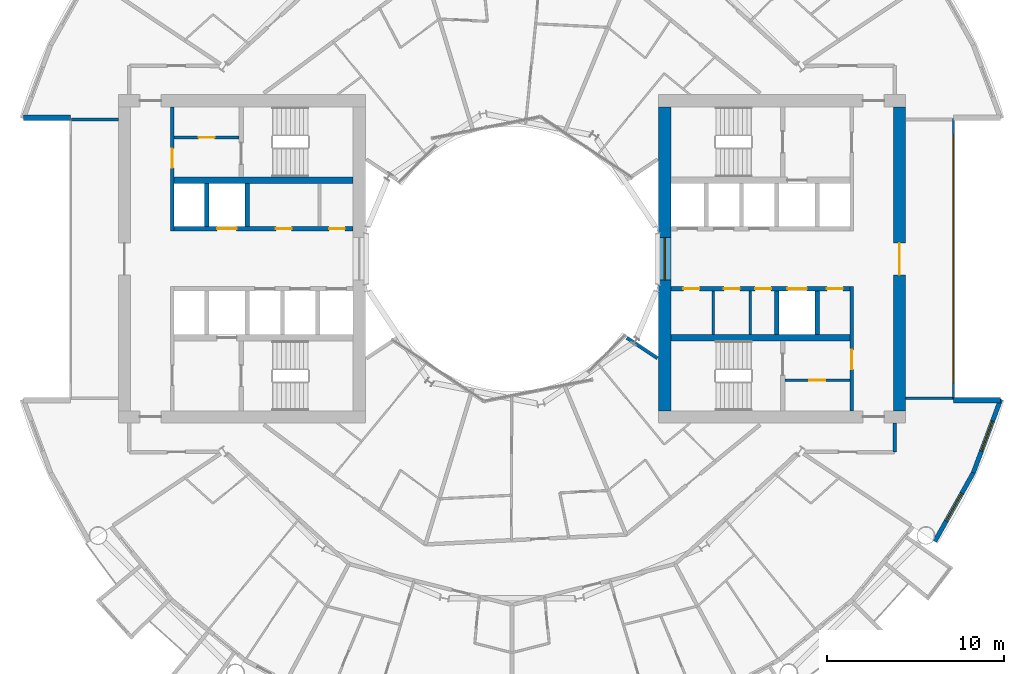
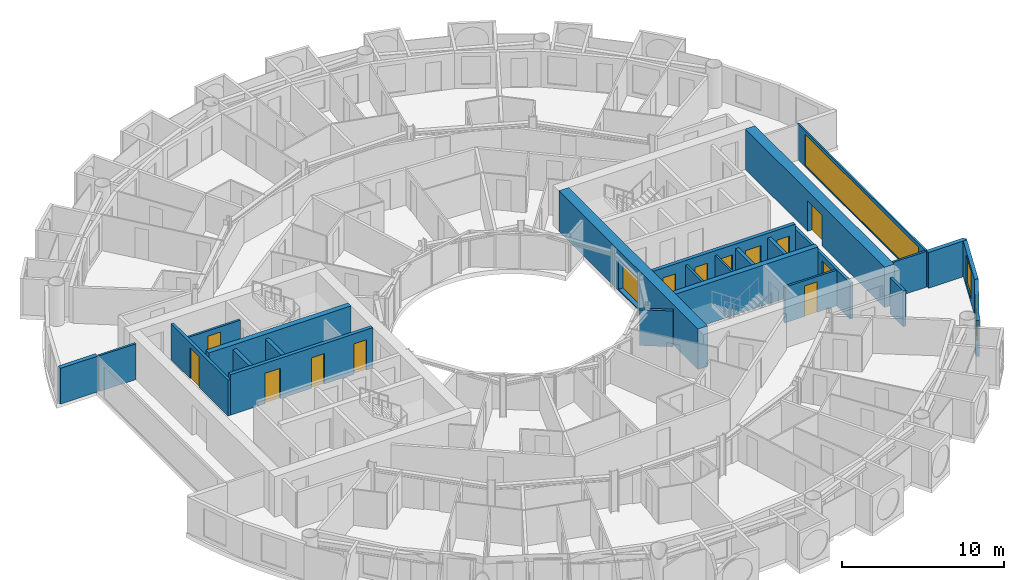
# One storey, part 17 of 26: 25 walls, 13 doors, 4 windows, 17 openings.
"""IFC4 building model written with IfcOpenShell, lengths in metres."""

from ifc_helpers import new_model, si_unit, direction, frame, frame_2d, origin, place, context, subcontext, project, spatial, rectangle, extrude, material, layer, layer_set, type_object, element, fill, save


model = new_model("IFC4")

# Units and contexts
model_context = context("Model", 3, precision=1e-05, world=origin(), true_north=direction((0.0, 1.0)))
body_context = subcontext(model_context, "Body", "Model", "MODEL_VIEW")
ifc_project = project(units=[si_unit("LENGTHUNIT", "METRE"), si_unit("AREAUNIT", "SQUARE_METRE"), si_unit("VOLUMEUNIT", "CUBIC_METRE"), si_unit("PLANEANGLEUNIT", "RADIAN"), si_unit("MASSUNIT", "GRAM", prefix="KILO")], contexts=[model_context])

# Site, building, storey
site_placement = place(None, origin())
site = spatial("IfcSite", under=ifc_project, at=site_placement, CompositionType="ELEMENT")
building_placement = place(site_placement, origin())
building = spatial("IfcBuilding", under=site, at=building_placement, Name="Maasbend Ring Residences", CompositionType="ELEMENT")
storey_placement = place(building_placement, frame((0.0, 0.0, 81.89990234375)))
storey = spatial("IfcBuildingStorey", under=building, at=storey_placement, Name="L23", CompositionType="ELEMENT", Elevation=81.89990234375)

# Wall, openings, doors
ifc_material_1 = material(Name="Concrete C70/85", Category="concrete")
ifc_layer_1 = layer(ifc_material_1, 0.25)
ifc_layer_set_1 = layer_set([ifc_layer_1], Name="Concrete C70/85")
wall_type_1 = type_object("IfcWallType", Name="CORE WALL 250 C70/85", PredefinedType="SHEAR", material=ifc_layer_set_1)
wall_1_placement = place(storey_placement, frame((19.14990234375, -1.699951171875, 0.0), z_axis=(0.0, 0.0, 1.0), x_axis=(-1.0, 0.0, 0.0)))
wall_1 = element("IfcWall", 1, at=wall_1_placement, inside=storey, type_object=wall_type_1, Name="L23 core E wall SPS", PredefinedType="SHEAR", context=body_context, shape_type="SweptSolid", body=[
    extrude(rectangle(XDim=10.14990234375, YDim=0.25, at=frame_2d((5.074951171875, 0.0))), origin(), (0.0, 0.0, 1.0), 3.050048828125),
])
opening_1_placement = place(wall_1_placement, frame((2.449951171875, 0.0, 0.0)))
opening_1 = element("IfcOpeningElement", 2, at=opening_1_placement, cuts=wall_1, Name="Opening LD-E2305", PredefinedType="OPENING", context=body_context, shape_type="SweptSolid", body=[
    extrude(rectangle(XDim=1.10009765625, YDim=2.300048828125, at=frame_2d((0.550048828125, 1.14990234375))), frame((0.0, 0.135009765625, 0.0), z_axis=(0.0, -1.0, 0.0), x_axis=(1.0, 0.0, 0.0)), (0.0, 0.0, 1.0), 0.27001953125),
])
opening_2_placement = place(wall_1_placement, frame((8.53759765625, 0.0, 0.0)))
opening_2 = element("IfcOpeningElement", 3, at=opening_2_placement, cuts=wall_1, Name="Opening D-E2306", PredefinedType="OPENING", context=body_context, shape_type="SweptSolid", body=[
    extrude(rectangle(XDim=0.89990234375, YDim=2.300048828125, at=frame_2d((0.449951171875, 1.14990234375))), frame((0.0, 0.135009765625, 0.0), z_axis=(0.0, -1.0, 0.0), x_axis=(1.0, 0.0, 0.0)), (0.0, 0.0, 1.0), 0.27001953125),
])
opening_3_placement = place(wall_1_placement, frame((6.25, 0.0, 0.0)))
opening_3 = element("IfcOpeningElement", 4, at=opening_3_placement, cuts=wall_1, Name="Opening D-E2307", PredefinedType="OPENING", context=body_context, shape_type="SweptSolid", body=[
    extrude(rectangle(XDim=0.89990234375, YDim=2.300048828125, at=frame_2d((0.449951171875, 1.14990234375))), frame((0.0, 0.135009765625, 0.0), z_axis=(0.0, -1.0, 0.0), x_axis=(1.0, 0.0, 0.0)), (0.0, 0.0, 1.0), 0.27001953125),
])
opening_4_placement = place(wall_1_placement, frame((4.47509765625, 0.0, 0.0)))
opening_4 = element("IfcOpeningElement", 5, at=opening_4_placement, cuts=wall_1, Name="Opening D-E2308", PredefinedType="OPENING", context=body_context, shape_type="SweptSolid", body=[
    extrude(rectangle(XDim=0.89990234375, YDim=2.300048828125, at=frame_2d((0.449951171875, 1.14990234375))), frame((0.0, 0.135009765625, 0.0), z_axis=(0.0, -1.0, 0.0), x_axis=(1.0, 0.0, 0.0)), (0.0, 0.0, 1.0), 0.27001953125),
])
opening_5_placement = place(wall_1_placement, frame((0.41259765625, 0.0, 0.0)))
opening_5 = element("IfcOpeningElement", 6, at=opening_5_placement, cuts=wall_1, Name="Opening D-E2309", PredefinedType="OPENING", context=body_context, shape_type="SweptSolid", body=[
    extrude(rectangle(XDim=0.89990234375, YDim=2.300048828125, at=frame_2d((0.449951171875, 1.14990234375))), frame((0.0, 0.135009765625, 0.0), z_axis=(0.0, -1.0, 0.0), x_axis=(1.0, 0.0, 0.0)), (0.0, 0.0, 1.0), 0.27001953125),
])
ifc_material_2 = material(Name="Stainless steel 316", Category="steel")
door_type_1 = type_object("IfcDoorType", Name="LANDING DOOR 1100 X 2300 FD60", OperationType="DOUBLE_DOOR_SLIDING", PredefinedType="DOOR", material=ifc_material_2)
door_1_placement = place(opening_1_placement, origin())
door_1 = element("IfcDoor", 7, at=door_1_placement, inside=storey, type_object=door_type_1, Name="Landing door SV-E L23", OperationType="DOUBLE_DOOR_SLIDING", OverallHeight=2.300048828125, OverallWidth=1.10009765625, PredefinedType="DOOR", context=body_context, shape_type="SweptSolid", body=[
    extrude(rectangle(XDim=1.10009765625, YDim=2.300048828125, at=frame_2d((0.550048828125, 1.14990234375))), frame((0.0, 0.02490234375, 0.0), z_axis=(0.0, -1.0, 0.0), x_axis=(1.0, 0.0, 0.0)), (0.0, 0.0, 1.0), 0.050048828125),
])
fill(opening_1, door_1)
ifc_material_3 = material(Name="Steel, powder coated", Category="steel")
door_type_2 = type_object("IfcDoorType", Name="ROOM DOOR 900 X 2300 FD30S", OperationType="NOTDEFINED", PredefinedType="DOOR", material=ifc_material_3)
door_2_placement = place(opening_2_placement, origin())
door_2 = element("IfcDoor", 8, at=door_2_placement, inside=storey, type_object=door_type_2, Name="Room door L23", OperationType="SINGLE_SWING_LEFT", OverallHeight=2.300048828125, OverallWidth=0.89990234375, PredefinedType="DOOR", context=body_context, shape_type="SweptSolid", body=[
    extrude(rectangle(XDim=0.89990234375, YDim=2.300048828125, at=frame_2d((0.449951171875, 1.14990234375))), frame((0.0, 0.02490234375, 0.0), z_axis=(0.0, -1.0, 0.0), x_axis=(1.0, 0.0, 0.0)), (0.0, 0.0, 1.0), 0.050048828125),
])
fill(opening_2, door_2)
door_3_placement = place(opening_3_placement, origin())
door_3 = element("IfcDoor", 9, at=door_3_placement, inside=storey, type_object=door_type_2, Name="Room door L23", OperationType="SINGLE_SWING_LEFT", OverallHeight=2.300048828125, OverallWidth=0.89990234375, PredefinedType="DOOR", context=body_context, shape_type="SweptSolid", body=[
    extrude(rectangle(XDim=0.89990234375, YDim=2.300048828125, at=frame_2d((0.449951171875, 1.14990234375))), frame((0.0, 0.02490234375, 0.0), z_axis=(0.0, -1.0, 0.0), x_axis=(1.0, 0.0, 0.0)), (0.0, 0.0, 1.0), 0.050048828125),
])
fill(opening_3, door_3)
door_4_placement = place(opening_4_placement, origin())
door_4 = element("IfcDoor", 10, at=door_4_placement, inside=storey, type_object=door_type_2, Name="Room door L23", OperationType="SINGLE_SWING_RIGHT", OverallHeight=2.300048828125, OverallWidth=0.89990234375, PredefinedType="DOOR", context=body_context, shape_type="SweptSolid", body=[
    extrude(rectangle(XDim=0.89990234375, YDim=2.300048828125, at=frame_2d((0.449951171875, 1.14990234375))), frame((0.0, 0.02490234375, 0.0), z_axis=(0.0, -1.0, 0.0), x_axis=(1.0, 0.0, 0.0)), (0.0, 0.0, 1.0), 0.050048828125),
])
fill(opening_4, door_4)
door_5_placement = place(opening_5_placement, origin())
door_5 = element("IfcDoor", 11, at=door_5_placement, inside=storey, type_object=door_type_2, Name="Room door L23", OperationType="SINGLE_SWING_RIGHT", OverallHeight=2.300048828125, OverallWidth=0.89990234375, PredefinedType="DOOR", context=body_context, shape_type="SweptSolid", body=[
    extrude(rectangle(XDim=0.89990234375, YDim=2.300048828125, at=frame_2d((0.449951171875, 1.14990234375))), frame((0.0, 0.02490234375, 0.0), z_axis=(0.0, -1.0, 0.0), x_axis=(1.0, 0.0, 0.0)), (0.0, 0.0, 1.0), 0.050048828125),
])
fill(opening_5, door_5)

wall_2_placement = place(storey_placement, frame((-19.14990234375, 1.699951171875, 0.0), z_axis=(0.0, 0.0, 1.0), x_axis=(1.0, 0.0, 0.0)))
wall_2 = element("IfcWall", 12, at=wall_2_placement, inside=storey, type_object=wall_type_1, Name="L23 core W wall SPS", PredefinedType="SHEAR", context=body_context, shape_type="SweptSolid", body=[
    extrude(rectangle(XDim=10.14990234375, YDim=0.25, at=frame_2d((5.074951171875, 0.0))), origin(), (0.0, 0.0, 1.0), 3.050048828125),
])
opening_6_placement = place(wall_2_placement, frame((2.449951171875, 0.0, 0.0)))
opening_6 = element("IfcOpeningElement", 13, at=opening_6_placement, cuts=wall_2, Name="Opening LD-W2305", PredefinedType="OPENING", context=body_context, shape_type="SweptSolid", body=[
    extrude(rectangle(XDim=1.10009765625, YDim=2.300048828125, at=frame_2d((0.550048828125, 1.14990234375))), frame((0.0, 0.135009765625, 0.0), z_axis=(0.0, -1.0, 0.0), x_axis=(1.0, 0.0, 0.0)), (0.0, 0.0, 1.0), 0.27001953125),
])
opening_7_placement = place(wall_2_placement, frame((8.78759765625, 0.0, 0.0)))
opening_7 = element("IfcOpeningElement", 14, at=opening_7_placement, cuts=wall_2, Name="Opening D-W2306", PredefinedType="OPENING", context=body_context, shape_type="SweptSolid", body=[
    extrude(rectangle(XDim=0.89990234375, YDim=2.300048828125, at=frame_2d((0.449951171875, 1.14990234375))), frame((0.0, 0.135009765625, 0.0), z_axis=(0.0, -1.0, 0.0), x_axis=(1.0, 0.0, 0.0)), (0.0, 0.0, 1.0), 0.27001953125),
])
opening_8_placement = place(wall_2_placement, frame((5.77490234375, 0.0, 0.0)))
opening_8 = element("IfcOpeningElement", 15, at=opening_8_placement, cuts=wall_2, Name="Opening D-W2307", PredefinedType="OPENING", context=body_context, shape_type="SweptSolid", body=[
    extrude(rectangle(XDim=0.89990234375, YDim=2.300048828125, at=frame_2d((0.449951171875, 1.14990234375))), frame((0.0, 0.135009765625, 0.0), z_axis=(0.0, -1.0, 0.0), x_axis=(1.0, 0.0, 0.0)), (0.0, 0.0, 1.0), 0.27001953125),
])
door_6_placement = place(opening_6_placement, origin())
door_6 = element("IfcDoor", 16, at=door_6_placement, inside=storey, type_object=door_type_1, Name="Landing door SV-W L23", OperationType="DOUBLE_DOOR_SLIDING", OverallHeight=2.300048828125, OverallWidth=1.10009765625, PredefinedType="DOOR", context=body_context, shape_type="SweptSolid", body=[
    extrude(rectangle(XDim=1.10009765625, YDim=2.300048828125, at=frame_2d((0.550048828125, 1.14990234375))), frame((0.0, 0.02490234375, 0.0), z_axis=(0.0, -1.0, 0.0), x_axis=(1.0, 0.0, 0.0)), (0.0, 0.0, 1.0), 0.050048828125),
])
fill(opening_6, door_6)
door_7_placement = place(opening_7_placement, origin())
door_7 = element("IfcDoor", 17, at=door_7_placement, inside=storey, type_object=door_type_2, Name="Room door L23", OperationType="SINGLE_SWING_LEFT", OverallHeight=2.300048828125, OverallWidth=0.89990234375, PredefinedType="DOOR", context=body_context, shape_type="SweptSolid", body=[
    extrude(rectangle(XDim=0.89990234375, YDim=2.300048828125, at=frame_2d((0.449951171875, 1.14990234375))), frame((0.0, 0.02490234375, 0.0), z_axis=(0.0, -1.0, 0.0), x_axis=(1.0, 0.0, 0.0)), (0.0, 0.0, 1.0), 0.050048828125),
])
fill(opening_7, door_7)
door_8_placement = place(opening_8_placement, origin())
door_8 = element("IfcDoor", 18, at=door_8_placement, inside=storey, type_object=door_type_2, Name="Room door L23", OperationType="SINGLE_SWING_LEFT", OverallHeight=2.300048828125, OverallWidth=0.89990234375, PredefinedType="DOOR", context=body_context, shape_type="SweptSolid", body=[
    extrude(rectangle(XDim=0.89990234375, YDim=2.300048828125, at=frame_2d((0.449951171875, 1.14990234375))), frame((0.0, 0.02490234375, 0.0), z_axis=(0.0, -1.0, 0.0), x_axis=(1.0, 0.0, 0.0)), (0.0, 0.0, 1.0), 0.050048828125),
])
fill(opening_8, door_8)

# Walls
ifc_material_4 = material(Name="Concrete C70/85", Category="concrete")
ifc_layer_2 = layer(ifc_material_4, 0.375)
ifc_layer_set_2 = layer_set([ifc_layer_2], Name="Concrete C70/85")
wall_type_2 = type_object("IfcWallType", Name="CORE WALL 375 C70/85", PredefinedType="SHEAR", material=ifc_layer_set_2)
for number, where, z_axis, x_axis, name in (
    (19, (9.0, -4.46240234375, 0.0), (0.0, 0.0, 1.0), (1.0, 0.0, 0.0), "L23 core E wall BS"),
    (20, (-9.0, 4.46240234375, 0.0), (0.0, 0.0, 1.0), (-1.0, 0.0, 0.0), "L23 core W wall BS"),
):
    element("IfcWall", number, at=place(storey_placement, frame(where, z_axis=z_axis, x_axis=x_axis)), inside=storey, type_object=wall_type_2, Name=name, PredefinedType="SHEAR", context=body_context, shape_type="SweptSolid", body=[
        extrude(rectangle(XDim=10.14990234375, YDim=0.375, at=frame_2d((5.074951171875, 0.0))), origin(), (0.0, 0.0, 1.0), 3.050048828125),
    ])

# Wall, opening, door
ifc_material_5 = material(Name="Concrete C70/85", Category="concrete")
ifc_layer_3 = layer(ifc_material_5, 0.699951171875)
ifc_layer_set_3 = layer_set([ifc_layer_3], Name="Concrete C70/85")
wall_type_3 = type_object("IfcWallType", Name="CORE WALL 700 C70/85", PredefinedType="SHEAR", material=ifc_layer_set_3)
wall_3_placement = place(storey_placement, frame((21.949951171875, 8.60009765625, 0.0), z_axis=(0.0, 0.0, 1.0), x_axis=(0.0, -1.0, 0.0)))
wall_3 = element("IfcWall", 21, at=wall_3_placement, inside=storey, type_object=wall_type_3, Name="L23 core E wall POUT", PredefinedType="SHEAR", context=body_context, shape_type="SweptSolid", body=[
    extrude(rectangle(XDim=17.2001953125, YDim=0.699951171875, at=frame_2d((8.60009765625, 0.0))), origin(), (0.0, 0.0, 1.0), 3.050048828125),
])
opening_9_placement = place(wall_3_placement, frame((7.699951171875, 0.0, 0.0)))
opening_9 = element("IfcOpeningElement", 22, at=opening_9_placement, cuts=wall_3, Name="Opening D-E2317", PredefinedType="OPENING", context=body_context, shape_type="SweptSolid", body=[
    extrude(rectangle(XDim=1.800048828125, YDim=2.300048828125, at=frame_2d((0.89990234375, 1.14990234375))), frame((0.0, 0.35986328125, 0.0), z_axis=(0.0, -1.0, 0.0), x_axis=(1.0, 0.0, 0.0)), (0.0, 0.0, 1.0), 0.719970703125),
])
ifc_material_6 = material(Name="Aluminium frame, clear glass", Category="aluminium")
door_type_3 = type_object("IfcDoorType", Name="ENTRANCE DOOR 1800 X 2300 FD60", OperationType="NOTDEFINED", PredefinedType="DOOR", material=ifc_material_6)
door_9_placement = place(opening_9_placement, origin())
door_9 = element("IfcDoor", 23, at=door_9_placement, inside=storey, type_object=door_type_3, Name="Lobby glazed door L23", OperationType="SINGLE_SWING_LEFT", OverallHeight=2.300048828125, OverallWidth=1.800048828125, PredefinedType="DOOR", context=body_context, shape_type="SweptSolid", body=[
    extrude(rectangle(XDim=1.800048828125, YDim=2.300048828125, at=frame_2d((0.89990234375, 1.14990234375))), frame((0.0, 0.02490234375, 0.0), z_axis=(0.0, -1.0, 0.0), x_axis=(1.0, 0.0, 0.0)), (0.0, 0.0, 1.0), 0.050048828125),
])
fill(opening_9, door_9)

# Wall, opening, window
wall_4_placement = place(storey_placement, frame((8.64990234375, -8.60009765625, 0.0), z_axis=(0.0, 0.0, 1.0), x_axis=(0.0, 1.0, 0.0)))
wall_4 = element("IfcWall", 24, at=wall_4_placement, inside=storey, type_object=wall_type_3, Name="L23 core E wall PIN", PredefinedType="SHEAR", context=body_context, shape_type="SweptSolid", body=[
    extrude(rectangle(XDim=17.2001953125, YDim=0.699951171875, at=frame_2d((8.60009765625, 0.0))), origin(), (0.0, 0.0, 1.0), 3.050048828125),
])
opening_10_placement = place(wall_4_placement, frame((7.39990234375, 0.0, 0.10009765625)))
opening_10 = element("IfcOpeningElement", 25, at=opening_10_placement, cuts=wall_4, Name="Opening W-E2301", PredefinedType="OPENING", context=body_context, shape_type="SweptSolid", body=[
    extrude(rectangle(XDim=2.39990234375, YDim=2.199951171875, at=frame_2d((1.199951171875, 1.10009765625))), frame((0.0, 0.35986328125, 0.0), z_axis=(0.0, -1.0, 0.0), x_axis=(1.0, 0.0, 0.0)), (0.0, 0.0, 1.0), 0.719970703125),
])
ifc_material_7 = material(Name="Aluminium frame and clear glass", Category="aluminium")
window_type_1 = type_object("IfcWindowType", Name="FIXED WINDOW 2400 X 2200", PartitioningType="SINGLE_PANEL", PredefinedType="WINDOW", material=ifc_material_7)
window_1_placement = place(opening_10_placement, origin())
window_1 = element("IfcWindow", 26, at=window_1_placement, inside=storey, type_object=window_type_1, Name="Lobby window L23", OverallHeight=2.199951171875, OverallWidth=2.39990234375, PartitioningType="SINGLE_PANEL", PredefinedType="WINDOW", context=body_context, shape_type="SweptSolid", body=[
    extrude(rectangle(XDim=2.39990234375, YDim=2.199951171875, at=frame_2d((1.199951171875, 1.10009765625))), frame((0.0, 0.030029296875, 0.0), z_axis=(0.0, -1.0, 0.0), x_axis=(1.0, 0.0, 0.0)), (0.0, 0.0, 1.0), 0.06005859375),
])
fill(opening_10, window_1)

# Wall
ifc_material_8 = material(Name="Concrete C30/37", Category="concrete")
ifc_layer_4 = layer(ifc_material_8, 0.199951171875)
ifc_layer_set_4 = layer_set([ifc_layer_4], Name="Concrete C30/37")
wall_type_4 = type_object("IfcWallType", Name="CORRIDOR WALL 200 CONCRETE", PredefinedType="PARTITIONING", material=ifc_layer_set_4)
wall_5_placement = place(storey_placement, frame((21.675048828125, -10.949951171875, 0.0), z_axis=(0.0, 0.0, 1.0), x_axis=(0.0, 1.0, 0.0)))
element("IfcWall", 27, at=wall_5_placement, inside=storey, type_object=wall_type_4, Name="U-L23-w001", PredefinedType="PARTITIONING", context=body_context, shape_type="SweptSolid", body=[
    extrude(rectangle(XDim=1.64990234375, YDim=0.199951171875, at=frame_2d((0.824951171875, 0.0))), origin(), (0.0, 0.0, 1.0), 2.7001953125),
])

# Wall, opening, window
ifc_material_9 = material(Name="Aluminium clad insulated panel", Category="aluminium")
ifc_layer_5 = layer(ifc_material_9, 0.25)
ifc_layer_set_5 = layer_set([ifc_layer_5], Name="EW-HORN")
wall_type_5 = type_object("IfcWallType", Name="EW-HORN", PredefinedType="SOLIDWALL", material=ifc_layer_set_5)
wall_6_placement = place(storey_placement, frame((23.946044921875, -16.0, 0.0), z_axis=(0.0, 0.0, 1.0), x_axis=(0.489696356642, 0.871893042919, 0.0)))
wall_6 = element("IfcWall", 28, at=wall_6_placement, inside=storey, type_object=wall_type_5, Name="Horn wall 2.1", PredefinedType="SOLIDWALL", context=body_context, shape_type="SweptSolid", body=[
    extrude(rectangle(XDim=4.45361328125, YDim=0.25, at=frame_2d((2.226806640625, 0.0))), origin(), (0.0, 0.0, 1.0), 2.7001953125),
])
opening_11_placement = place(wall_6_placement, frame((1.32666015625, 0.0, 0.300048828125)))
opening_11 = element("IfcOpeningElement", 29, at=opening_11_placement, cuts=wall_6, Name="Opening W-BX", PredefinedType="OPENING", context=body_context, shape_type="SweptSolid", body=[
    extrude(rectangle(XDim=1.800048828125, YDim=2.10009765625, at=frame_2d((0.89990234375, 1.050048828125))), frame((0.0, 0.135009765625, 0.0), z_axis=(0.0, -1.0, 0.0), x_axis=(1.0, 0.0, 0.0)), (0.0, 0.0, 1.0), 0.27001953125),
])
ifc_material_10 = material(Name="Aluminium and clear glass", Category="aluminium")
window_type_2 = type_object("IfcWindowType", Name="W-BX", PartitioningType="DOUBLE_PANEL_VERTICAL", PredefinedType="WINDOW", material=ifc_material_10)
window_2_placement = place(opening_11_placement, origin())
window_2 = element("IfcWindow", 30, at=window_2_placement, inside=storey, type_object=window_type_2, Name="Horn window 2.1", OverallHeight=2.10009765625, OverallWidth=1.800048828125, PartitioningType="SINGLE_PANEL", PredefinedType="WINDOW", context=body_context, shape_type="SweptSolid", body=[
    extrude(rectangle(XDim=1.800048828125, YDim=2.10009765625, at=frame_2d((0.89990234375, 1.050048828125))), frame((0.0, 0.030029296875, 0.0), z_axis=(0.0, -1.0, 0.0), x_axis=(1.0, 0.0, 0.0)), (0.0, 0.0, 1.0), 0.06005859375),
])
fill(opening_11, window_2)

wall_7_placement = place(storey_placement, frame((26.126953125, -12.116943359375, 0.0), z_axis=(0.0, 0.0, 1.0), x_axis=(0.349247811493, 0.937030397675, 0.0)))
wall_7 = element("IfcWall", 31, at=wall_7_placement, inside=storey, type_object=wall_type_5, Name="Horn wall 2.2", PredefinedType="SOLIDWALL", context=body_context, shape_type="SweptSolid", body=[
    extrude(rectangle(XDim=4.4521484375, YDim=0.25, at=frame_2d((2.22607421875, 0.0))), origin(), (0.0, 0.0, 1.0), 2.7001953125),
])
opening_12_placement = place(wall_7_placement, frame((1.32666015625, 0.0, 0.300048828125)))
opening_12 = element("IfcOpeningElement", 32, at=opening_12_placement, cuts=wall_7, Name="Opening W-BX", PredefinedType="OPENING", context=body_context, shape_type="SweptSolid", body=[
    extrude(rectangle(XDim=1.800048828125, YDim=2.10009765625, at=frame_2d((0.89990234375, 1.050048828125))), frame((0.0, 0.135009765625, 0.0), z_axis=(0.0, -1.0, 0.0), x_axis=(1.0, 0.0, 0.0)), (0.0, 0.0, 1.0), 0.27001953125),
])
window_3_placement = place(opening_12_placement, origin())
window_3 = element("IfcWindow", 33, at=window_3_placement, inside=storey, type_object=window_type_2, Name="Horn window 2.2", OverallHeight=2.10009765625, OverallWidth=1.800048828125, PartitioningType="SINGLE_PANEL", PredefinedType="WINDOW", context=body_context, shape_type="SweptSolid", body=[
    extrude(rectangle(XDim=1.800048828125, YDim=2.10009765625, at=frame_2d((0.89990234375, 1.050048828125))), frame((0.0, 0.030029296875, 0.0), z_axis=(0.0, -1.0, 0.0), x_axis=(1.0, 0.0, 0.0)), (0.0, 0.0, 1.0), 0.06005859375),
])
fill(opening_12, window_3)

# Walls
ifc_material_11 = material(Name="Aluminium clad insulated panel", Category="aluminium")
ifc_layer_6 = layer(ifc_material_11, 0.300048828125)
ifc_layer_set_6 = layer_set([ifc_layer_6], Name="EW-RET")
wall_type_6 = type_object("IfcWallType", Name="EW-RET", PredefinedType="SOLIDWALL", material=ifc_layer_set_6)
for number, where, z_axis, x_axis, name in (
    (34, (25.0, -8.0, 0.0), (0.0, 0.0, 1.0), (1.0, 0.0, 0.0), "Notch return wall east south"),
    (35, (-25.0, 8.0, 0.0), (0.0, 0.0, 1.0), (-1.0, 0.0, 0.0), "Notch return wall west north"),
):
    element("IfcWall", number, at=place(storey_placement, frame(where, z_axis=z_axis, x_axis=x_axis)), inside=storey, type_object=wall_type_6, Name=name, PredefinedType="SOLIDWALL", context=body_context, shape_type="SweptSolid", body=[
        extrude(rectangle(XDim=2.6669921875, YDim=0.300048828125, at=frame_2d((1.33349609375, 0.0))), origin(), (0.0, 0.0, 1.0), 2.7001953125),
    ])

# Wall, opening, window
ifc_material_12 = material(Name="Aluminium frame and clear glass", Category="aluminium")
ifc_layer_7 = layer(ifc_material_12, 0.1201171875)
ifc_layer_set_7 = layer_set([ifc_layer_7], Name="GLAZED SCREEN WALL 120 EI 60")
wall_type_7 = type_object("IfcWallType", Name="GLAZED SCREEN WALL 120 EI 60", PredefinedType="PARTITIONING", material=ifc_layer_set_7)
wall_8_placement = place(storey_placement, frame((25.0, -7.949951171875, 0.0), z_axis=(0.0, 0.0, 1.0), x_axis=(0.0, 1.0, 0.0)))
wall_8 = element("IfcWall", 36, at=wall_8_placement, inside=storey, type_object=wall_type_7, Name="L23 core E wall FACE", PredefinedType="PARTITIONING", context=body_context, shape_type="SweptSolid", body=[
    extrude(rectangle(XDim=15.89990234375, YDim=0.1201171875, at=frame_2d((7.949951171875, 0.0))), origin(), (0.0, 0.0, 1.0), 2.7001953125),
])
opening_13_placement = place(wall_8_placement, frame((0.949951171875, 0.0, 0.10009765625)))
opening_13 = element("IfcOpeningElement", 37, at=opening_13_placement, cuts=wall_8, Name="Opening W-E2302", PredefinedType="OPENING", context=body_context, shape_type="SweptSolid", body=[
    extrude(rectangle(XDim=14.0, YDim=2.35009765625, at=frame_2d((7.0, 1.175048828125))), frame((0.0, 0.070068359375, 0.0), z_axis=(0.0, -1.0, 0.0), x_axis=(1.0, 0.0, 0.0)), (0.0, 0.0, 1.0), 0.14013671875),
])
ifc_material_13 = material(Name="Aluminium frame and clear glass", Category="aluminium")
window_type_3 = type_object("IfcWindowType", Name="FIXED WINDOW 14000 X 2350", PartitioningType="SINGLE_PANEL", PredefinedType="WINDOW", material=ifc_material_13)
window_4_placement = place(opening_13_placement, origin())
window_4 = element("IfcWindow", 38, at=window_4_placement, inside=storey, type_object=window_type_3, Name="Lobby window L23", OverallHeight=2.35009765625, OverallWidth=14.0, PartitioningType="SINGLE_PANEL", PredefinedType="WINDOW", context=body_context, shape_type="SweptSolid", body=[
    extrude(rectangle(XDim=14.0, YDim=2.35009765625, at=frame_2d((7.0, 1.175048828125))), frame((0.0, 0.030029296875, 0.0), z_axis=(0.0, -1.0, 0.0), x_axis=(1.0, 0.0, 0.0)), (0.0, 0.0, 1.0), 0.06005859375),
])
fill(opening_13, window_4)

# Walls
ifc_material_14 = material(Name="Gypsum board on steel studs", Category="steel")
ifc_layer_8 = layer(ifc_material_14, 0.14990234375)
ifc_layer_set_8 = layer_set([ifc_layer_8], Name="PARTITION 150 EI 60")
wall_type_8 = type_object("IfcWallType", Name="PARTITION 150 EI 60", PredefinedType="PARTITIONING", material=ifc_layer_set_8)
for number, where, z_axis, x_axis, name in (
    (39, (11.39990234375, -1.824951171875, 0.0), (0.0, 0.0, 1.0), (0.0, -1.0, 0.0), "L23 core E wall PRS1140"),
    (40, (13.5, -1.824951171875, 0.0), (0.0, 0.0, 1.0), (0.0, -1.0, 0.0), "L23 core E wall PRS1350"),
):
    element("IfcWall", number, at=place(storey_placement, frame(where, z_axis=z_axis, x_axis=x_axis)), inside=storey, type_object=wall_type_8, Name=name, PredefinedType="PARTITIONING", context=body_context, shape_type="SweptSolid", body=[
        extrude(rectangle(XDim=2.449951171875, YDim=0.14990234375, at=frame_2d((1.22509765625, 0.0))), origin(), (0.0, 0.0, 1.0), 2.7001953125),
    ])

# Wall, opening, door
wall_9_placement = place(storey_placement, frame((15.449951171875, -6.875, 0.0), z_axis=(0.0, 0.0, 1.0), x_axis=(1.0, 0.0, 0.0)))
wall_9 = element("IfcWall", 41, at=wall_9_placement, inside=storey, type_object=wall_type_8, Name="L23 core E wall RHS", PredefinedType="PARTITIONING", context=body_context, shape_type="SweptSolid", body=[
    extrude(rectangle(XDim=3.699951171875, YDim=0.14990234375, at=frame_2d((1.85009765625, 0.0))), origin(), (0.0, 0.0, 1.0), 2.7001953125),
])
opening_14_placement = place(wall_9_placement, frame((1.39990234375, 0.0, 0.0)))
opening_14 = element("IfcOpeningElement", 42, at=opening_14_placement, cuts=wall_9, Name="Opening D-E2310", PredefinedType="OPENING", context=body_context, shape_type="SweptSolid", body=[
    extrude(rectangle(XDim=0.89990234375, YDim=2.300048828125, at=frame_2d((0.449951171875, 1.14990234375))), frame((0.0, 0.0849609375, 0.0), z_axis=(0.0, -1.0, 0.0), x_axis=(1.0, 0.0, 0.0)), (0.0, 0.0, 1.0), 0.169921875),
])
ifc_material_15 = material(Name="Steel, powder coated", Category="steel")
door_type_4 = type_object("IfcDoorType", Name="RISER DOOR 900 X 2300 FD60", OperationType="NOTDEFINED", PredefinedType="DOOR", material=ifc_material_15)
door_10_placement = place(opening_14_placement, origin())
door_10 = element("IfcDoor", 43, at=door_10_placement, inside=storey, type_object=door_type_4, Name="Riser door L23", OperationType="SINGLE_SWING_LEFT", OverallHeight=2.300048828125, OverallWidth=0.89990234375, PredefinedType="DOOR", context=body_context, shape_type="SweptSolid", body=[
    extrude(rectangle(XDim=0.89990234375, YDim=2.300048828125, at=frame_2d((0.449951171875, 1.14990234375))), frame((0.0, 0.02490234375, 0.0), z_axis=(0.0, -1.0, 0.0), x_axis=(1.0, 0.0, 0.0)), (0.0, 0.0, 1.0), 0.050048828125),
])
fill(opening_14, door_10)

# Wall
wall_10_placement = place(storey_placement, frame((22.300048828125, -7.89990234375, 0.0), z_axis=(0.0, 0.0, 1.0), x_axis=(1.0, 0.0, 0.0)))
element("IfcWall", 44, at=wall_10_placement, inside=storey, type_object=wall_type_8, Name="L23 core E wall CITS", PredefinedType="PARTITIONING", context=body_context, shape_type="SweptSolid", body=[
    extrude(rectangle(XDim=2.639892578125, YDim=0.14990234375, at=frame_2d((1.31982421875, 0.0))), origin(), (0.0, 0.0, 1.0), 2.7001953125),
])

# Wall, opening, door
wall_11_placement = place(storey_placement, frame((-15.449951171875, 6.875, 0.0), z_axis=(0.0, 0.0, 1.0), x_axis=(-1.0, 0.0, 0.0)))
wall_11 = element("IfcWall", 45, at=wall_11_placement, inside=storey, type_object=wall_type_8, Name="L23 core W wall RHS", PredefinedType="PARTITIONING", context=body_context, shape_type="SweptSolid", body=[
    extrude(rectangle(XDim=3.699951171875, YDim=0.14990234375, at=frame_2d((1.85009765625, 0.0))), origin(), (0.0, 0.0, 1.0), 2.7001953125),
])
opening_15_placement = place(wall_11_placement, frame((1.39990234375, 0.0, 0.0)))
opening_15 = element("IfcOpeningElement", 46, at=opening_15_placement, cuts=wall_11, Name="Opening D-W2308", PredefinedType="OPENING", context=body_context, shape_type="SweptSolid", body=[
    extrude(rectangle(XDim=0.89990234375, YDim=2.300048828125, at=frame_2d((0.449951171875, 1.14990234375))), frame((0.0, 0.0849609375, 0.0), z_axis=(0.0, -1.0, 0.0), x_axis=(1.0, 0.0, 0.0)), (0.0, 0.0, 1.0), 0.169921875),
])
door_11_placement = place(opening_15_placement, origin())
door_11 = element("IfcDoor", 47, at=door_11_placement, inside=storey, type_object=door_type_4, Name="Riser door L23", OperationType="SINGLE_SWING_LEFT", OverallHeight=2.300048828125, OverallWidth=0.89990234375, PredefinedType="DOOR", context=body_context, shape_type="SweptSolid", body=[
    extrude(rectangle(XDim=0.89990234375, YDim=2.300048828125, at=frame_2d((0.449951171875, 1.14990234375))), frame((0.0, 0.02490234375, 0.0), z_axis=(0.0, -1.0, 0.0), x_axis=(1.0, 0.0, 0.0)), (0.0, 0.0, 1.0), 0.050048828125),
])
fill(opening_15, door_11)

# Walls
wall_12_placement = place(storey_placement, frame((-22.300048828125, 7.89990234375, 0.0), z_axis=(0.0, 0.0, 1.0), x_axis=(-1.0, 0.0, 0.0)))
element("IfcWall", 48, at=wall_12_placement, inside=storey, type_object=wall_type_8, Name="L23 core W wall CITS", PredefinedType="PARTITIONING", context=body_context, shape_type="SweptSolid", body=[
    extrude(rectangle(XDim=2.639892578125, YDim=0.14990234375, at=frame_2d((1.31982421875, 0.0))), origin(), (0.0, 0.0, 1.0), 2.7001953125),
])
ifc_material_16 = material(Name="Concrete C30/37", Category="concrete")
ifc_layer_9 = layer(ifc_material_16, 0.199951171875)
ifc_layer_set_9 = layer_set([ifc_layer_9], Name="Concrete C30/37")
wall_type_9 = type_object("IfcWallType", Name="PARTY WALL 200 CONCRETE", PredefinedType="PARTITIONING", material=ifc_layer_set_9)
wall_13_placement = place(storey_placement, frame((6.512939453125, -4.471923828125, 0.0), z_axis=(0.0, 0.0, 1.0), x_axis=(0.831382204863, -0.555701025225, 0.0)))
element("IfcWall", 49, at=wall_13_placement, inside=storey, type_object=wall_type_9, Name="U-L23-w027", PredefinedType="PARTITIONING", context=body_context, shape_type="SweptSolid", body=[
    extrude(rectangle(XDim=2.08203125, YDim=0.199951171875, at=frame_2d((1.041015625, 0.0))), origin(), (0.0, 0.0, 1.0), 2.7001953125),
])

# Wall, opening, door
ifc_material_17 = material(Name="Concrete C30/37", Category="concrete")
ifc_layer_10 = layer(ifc_material_17, 0.199951171875)
ifc_layer_set_10 = layer_set([ifc_layer_10], Name="Concrete C30/37")
wall_type_10 = type_object("IfcWallType", Name="SHAFT WALL 200 EI 120", PredefinedType="SOLIDWALL", material=ifc_layer_set_10)
wall_14_placement = place(storey_placement, frame((19.25, -8.60009765625, 0.0), z_axis=(0.0, 0.0, 1.0), x_axis=(0.0, 1.0, 0.0)))
wall_14 = element("IfcWall", 50, at=wall_14_placement, inside=storey, type_object=wall_type_10, Name="L23 core E wall ENDS", PredefinedType="SOLIDWALL", context=body_context, shape_type="SweptSolid", body=[
    extrude(rectangle(XDim=7.025146484375, YDim=0.199951171875, at=frame_2d((3.5126953125, 0.0))), origin(), (0.0, 0.0, 1.0), 2.7001953125),
])
opening_16_placement = place(wall_14_placement, frame((2.35009765625, 0.0, 0.0)))
opening_16 = element("IfcOpeningElement", 51, at=opening_16_placement, cuts=wall_14, Name="Opening D-E2314", PredefinedType="OPENING", context=body_context, shape_type="SweptSolid", body=[
    extrude(rectangle(XDim=1.10009765625, YDim=2.300048828125, at=frame_2d((0.550048828125, 1.14990234375))), frame((0.0, 0.10986328125, 0.0), z_axis=(0.0, -1.0, 0.0), x_axis=(1.0, 0.0, 0.0)), (0.0, 0.0, 1.0), 0.219970703125),
])
ifc_material_18 = material(Name="Steel, powder coated", Category="steel")
door_type_5 = type_object("IfcDoorType", Name="LOBBY DOOR 1100 X 2300 FD60", OperationType="NOTDEFINED", PredefinedType="DOOR", material=ifc_material_18)
door_12_placement = place(opening_16_placement, origin())
door_12 = element("IfcDoor", 52, at=door_12_placement, inside=storey, type_object=door_type_5, Name="Lobby door L23", OperationType="SINGLE_SWING_RIGHT", OverallHeight=2.300048828125, OverallWidth=1.10009765625, PredefinedType="DOOR", context=body_context, shape_type="SweptSolid", body=[
    extrude(rectangle(XDim=1.10009765625, YDim=2.300048828125, at=frame_2d((0.550048828125, 1.14990234375))), frame((0.0, 0.02490234375, 0.0), z_axis=(0.0, -1.0, 0.0), x_axis=(1.0, 0.0, 0.0)), (0.0, 0.0, 1.0), 0.050048828125),
])
fill(opening_16, door_12)

wall_15_placement = place(storey_placement, frame((-19.25, 8.60009765625, 0.0), z_axis=(0.0, 0.0, 1.0), x_axis=(0.0, -1.0, 0.0)))
wall_15 = element("IfcWall", 53, at=wall_15_placement, inside=storey, type_object=wall_type_10, Name="L23 core W wall ENDS", PredefinedType="SOLIDWALL", context=body_context, shape_type="SweptSolid", body=[
    extrude(rectangle(XDim=7.025146484375, YDim=0.199951171875, at=frame_2d((3.5126953125, 0.0))), origin(), (0.0, 0.0, 1.0), 2.7001953125),
])
opening_17_placement = place(wall_15_placement, frame((2.35009765625, 0.0, 0.0)))
opening_17 = element("IfcOpeningElement", 54, at=opening_17_placement, cuts=wall_15, Name="Opening D-W2312", PredefinedType="OPENING", context=body_context, shape_type="SweptSolid", body=[
    extrude(rectangle(XDim=1.10009765625, YDim=2.300048828125, at=frame_2d((0.550048828125, 1.14990234375))), frame((0.0, 0.10986328125, 0.0), z_axis=(0.0, -1.0, 0.0), x_axis=(1.0, 0.0, 0.0)), (0.0, 0.0, 1.0), 0.219970703125),
])
door_13_placement = place(opening_17_placement, origin())
door_13 = element("IfcDoor", 55, at=door_13_placement, inside=storey, type_object=door_type_5, Name="Lobby door L23", OperationType="SINGLE_SWING_RIGHT", OverallHeight=2.300048828125, OverallWidth=1.10009765625, PredefinedType="DOOR", context=body_context, shape_type="SweptSolid", body=[
    extrude(rectangle(XDim=1.10009765625, YDim=2.300048828125, at=frame_2d((0.550048828125, 1.14990234375))), frame((0.0, 0.02490234375, 0.0), z_axis=(0.0, -1.0, 0.0), x_axis=(1.0, 0.0, 0.0)), (0.0, 0.0, 1.0), 0.050048828125),
])
fill(opening_17, door_13)

# Walls
ifc_material_19 = material(Name="Concrete C30/37", Category="concrete")
ifc_layer_11 = layer(ifc_material_19, 0.25)
ifc_layer_set_11 = layer_set([ifc_layer_11], Name="Concrete C30/37")
wall_type_11 = type_object("IfcWallType", Name="SHAFT WALL 250 EI 120", PredefinedType="SOLIDWALL", material=ifc_layer_set_11)
for number, where, z_axis, x_axis, name in (
    (56, (15.0, -1.824951171875, 0.0), (0.0, 0.0, 1.0), (0.0, -1.0, 0.0), "L23 core E wall D150S"),
    (57, (17.300048828125, -1.824951171875, 0.0), (0.0, 0.0, 1.0), (0.0, -1.0, 0.0), "L23 core E wall D173S"),
    (58, (-15.0, 1.824951171875, 0.0), (0.0, 0.0, 1.0), (0.0, 1.0, 0.0), "L23 core W wall D150S"),
    (59, (-17.300048828125, 1.824951171875, 0.0), (0.0, 0.0, 1.0), (0.0, 1.0, 0.0), "L23 core W wall D173S"),
):
    element("IfcWall", number, at=place(storey_placement, frame(where, z_axis=z_axis, x_axis=x_axis)), inside=storey, type_object=wall_type_11, Name=name, PredefinedType="SOLIDWALL", context=body_context, shape_type="SweptSolid", body=[
        extrude(rectangle(XDim=2.449951171875, YDim=0.25, at=frame_2d((1.22509765625, 0.0))), origin(), (0.0, 0.0, 1.0), 2.7001953125),
    ])

save(model, "model.ifc")
